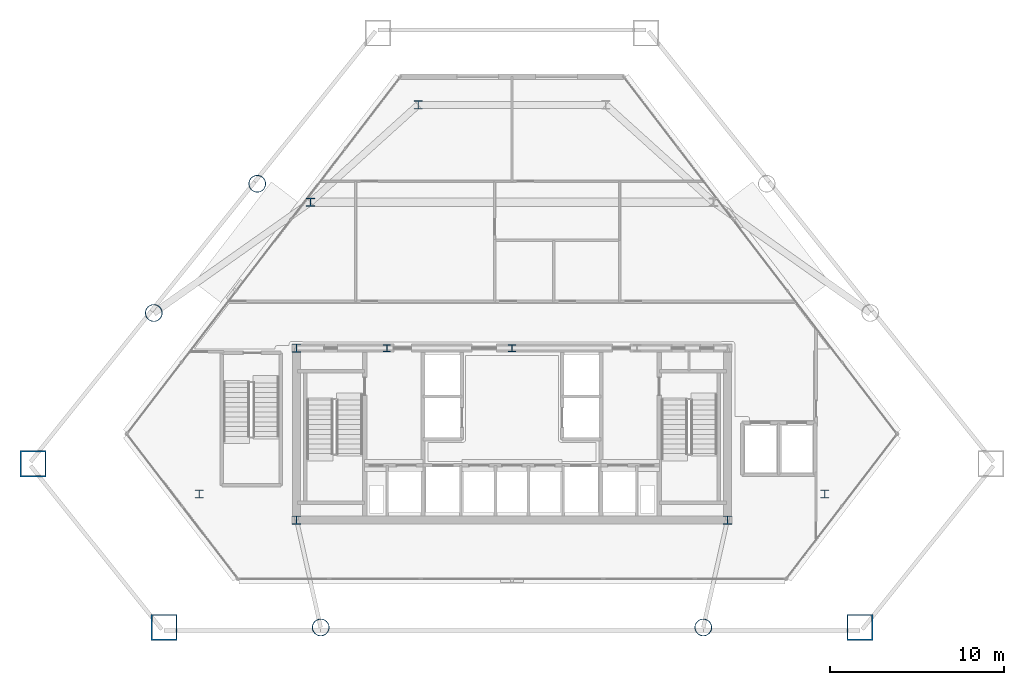
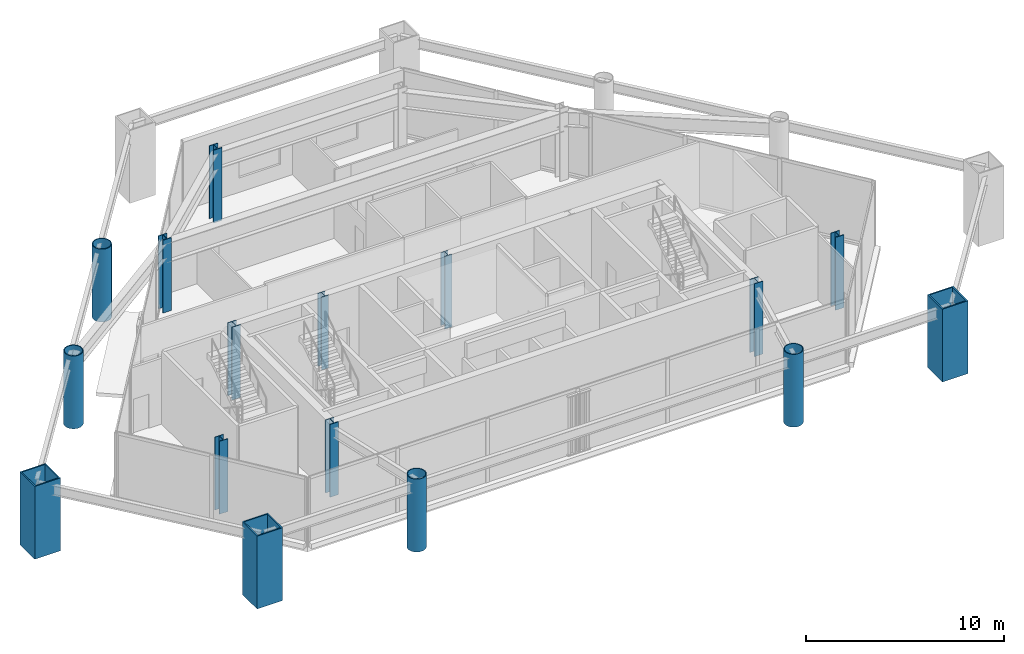
# One storey, part 1 of 11: 16 columns.
"""IFC4 building model written with IfcOpenShell, lengths in metres."""

from ifc_helpers import new_model, si_unit, direction, frame, origin, origin_2d, place, context, subcontext, project, spatial, hollow_rectangle, hollow_circle, i_section, extrude, material, material_profile, profile_set, type_object, element, save


model = new_model("IFC4")

# Units and contexts
model_context = context("Model", 3, precision=1e-05, world=origin(), true_north=direction((0.0, 1.0)))
body_context = subcontext(model_context, "Body", "Model", "MODEL_VIEW")
ifc_project = project(units=[si_unit("LENGTHUNIT", "METRE"), si_unit("AREAUNIT", "SQUARE_METRE"), si_unit("VOLUMEUNIT", "CUBIC_METRE"), si_unit("PLANEANGLEUNIT", "RADIAN"), si_unit("MASSUNIT", "GRAM", prefix="KILO")], contexts=[model_context])

# Site, building, storey
site_placement = place(None, origin())
site = spatial("IfcSite", under=ifc_project, at=site_placement, CompositionType="ELEMENT")
building_placement = place(site_placement, origin())
building = spatial("IfcBuilding", under=site, at=building_placement, Name="Talgorran Terracotta Tower", CompositionType="ELEMENT")
storey_placement = place(building_placement, frame((0.0, 0.0, 5.39990234375)))
storey = spatial("IfcBuildingStorey", under=building, at=storey_placement, Name="L01", CompositionType="ELEMENT", Elevation=5.39990234375)

# Columns
ifc_material_1 = material(Name="Steel S355 (300PLUS)", Category="steel")
ifc_material_profile_1 = material_profile(ifc_material_1, i_section(OverallWidth=0.5, OverallDepth=0.48193359375, WebThickness=0.0400390625, FlangeThickness=0.044921875, at=origin_2d()), Name="500WC440")
ifc_profile_set_1 = profile_set([ifc_material_profile_1], Name="Steel S355 (300PLUS)")
column_type_1 = type_object("IfcColumnType", Name="COL_500WC440", PredefinedType="COLUMN", material=ifc_profile_set_1)
for number, where, z_axis, x_axis, name in (
    (1, (-12.39990234375, -14.10009765625, 0.0), (0.0, 0.0, 1.0), (1.0, 0.0, 0.0), "L01 Core Boundary Column CC1"),
    (2, (12.39990234375, -14.10009765625, 0.0), (0.0, 0.0, 1.0), (1.0, 0.0, 0.0), "L01 Core Boundary Column CC2"),
    (3, (-12.39990234375, -4.199951171875, 0.0), (0.0, 0.0, 1.0), (1.0, 0.0, 0.0), "L01 Core Boundary Column CC4"),
    (4, (-18.0, -12.60009765625, 0.0), (0.0, 0.0, 1.0), (1.0, 0.0, 0.0), "L01 Podium Column PC1"),
    (5, (18.0, -12.60009765625, 0.0), (0.0, 0.0, 1.0), (1.0, 0.0, 0.0), "L01 Podium Column PC2"),
    (6, (-11.60009765625, 4.199951171875, 0.0), (0.0, 0.0, 1.0), (1.0, 0.0, 0.0), "L01 Podium Column PC3"),
    (7, (-5.39990234375, 9.800048828125, 0.0), (0.0, 0.0, 1.0), (1.0, 0.0, 0.0), "L01 Podium Column PC5"),
):
    element("IfcColumn", number, at=place(storey_placement, frame(where, z_axis=z_axis, x_axis=x_axis)), inside=storey, type_object=column_type_1, Name=name, PredefinedType="COLUMN", context=body_context, shape_type="SweptSolid", body=[
        extrude(i_section(OverallWidth=0.5, OverallDepth=0.48193359375, WebThickness=0.0400390625, FlangeThickness=0.044921875, at=origin_2d()), origin(), (0.0, 0.0, 1.0), 4.5),
    ])
ifc_material_2 = material(Name="Steel Grade 350 (350L0)", Category="steel")
ifc_material_profile_2 = material_profile(ifc_material_2, hollow_rectangle(XDim=1.5, YDim=1.5, WallThickness=0.074951171875, at=origin_2d()), Name="CFT1500X1500X75")
ifc_profile_set_2 = profile_set([ifc_material_profile_2], Name="Steel Grade 350 (350L0)")
column_type_2 = type_object("IfcColumnType", Name="COL_CFT_1500", PredefinedType="COLUMN", material=ifc_profile_set_2)
for number, where, z_axis, x_axis, name in (
    (8, (-27.56982421875, -10.85595703125, 0.0), (0.0, 0.0, 1.0), (1.0, 0.0, 0.0), "L01 Corner CFT Mega-Column MC1"),
    (9, (-20.022216796875, -20.280029296875, 0.0), (0.0, 0.0, 1.0), (1.0, 0.0, 0.0), "L01 Corner CFT Mega-Column MC2"),
    (10, (20.022216796875, -20.280029296875, 0.0), (0.0, 0.0, 1.0), (1.0, 0.0, 0.0), "L01 Corner CFT Mega-Column MC3"),
):
    element("IfcColumn", number, at=place(storey_placement, frame(where, z_axis=z_axis, x_axis=x_axis)), inside=storey, type_object=column_type_2, Name=name, PredefinedType="COLUMN", context=body_context, shape_type="SweptSolid", body=[
        extrude(hollow_rectangle(XDim=1.5, YDim=1.5, WallThickness=0.074951171875, at=origin_2d()), origin(), (0.0, 0.0, 1.0), 4.5),
    ])
ifc_material_profile_3 = material_profile(ifc_material_2, hollow_circle(Radius=0.5, WallThickness=0.044921875, at=origin_2d()), Name="CHS1000X45")
ifc_profile_set_3 = profile_set([ifc_material_profile_3], Name="Steel Grade 350 (350L0)")
column_type_3 = type_object("IfcColumnType", Name="COL_CHS_1000", PredefinedType="COLUMN", material=ifc_profile_set_3)
for number, where, z_axis, x_axis, name in (
    (11, (-11.01220703125, -20.280029296875, 0.0), (0.0, 0.0, 1.0), (1.0, 0.0, 0.0), "L01 Facet Perimeter Column FC1"),
    (12, (11.01220703125, -20.280029296875, 0.0), (0.0, 0.0, 1.0), (1.0, 0.0, 0.0), "L01 Facet Perimeter Column FC2"),
    (13, (-14.663818359375, 5.2587890625, 0.0), (0.0, 0.0, 1.0), (1.0, 0.0, 0.0), "L01 Facet Perimeter Column FC5"),
    (14, (-20.620361328125, -2.1787109375, 0.0), (0.0, 0.0, 1.0), (1.0, 0.0, 0.0), "L01 Facet Perimeter Column FC6"),
):
    element("IfcColumn", number, at=place(storey_placement, frame(where, z_axis=z_axis, x_axis=x_axis)), inside=storey, type_object=column_type_3, Name=name, PredefinedType="COLUMN", context=body_context, shape_type="SweptSolid", body=[
        extrude(hollow_circle(Radius=0.5, WallThickness=0.044921875, at=origin_2d()), origin(), (0.0, 0.0, 1.0), 4.5),
    ])
ifc_material_profile_4 = material_profile(ifc_material_1, i_section(OverallWidth=0.405029296875, OverallDepth=0.4140625, WebThickness=0.02197265625, FlangeThickness=0.031982421875, at=origin_2d()), Name="400WC270")
ifc_profile_set_4 = profile_set([ifc_material_profile_4], Name="Steel S355 (300PLUS)")
column_type_4 = type_object("IfcColumnType", Name="COL_PIL_400WC270", PredefinedType="PILASTER", material=ifc_profile_set_4)
for number, where, z_axis, x_axis, name in (
    (15, (-7.199951171875, -4.199951171875, 0.0), (0.0, 0.0, 1.0), (1.0, 0.0, 0.0), "L01 Core Shear Pilaster CP1"),
    (16, (0.0, -4.199951171875, 0.0), (0.0, 0.0, 1.0), (1.0, 0.0, 0.0), "L01 Core Shear Pilaster CP2"),
):
    element("IfcColumn", number, at=place(storey_placement, frame(where, z_axis=z_axis, x_axis=x_axis)), inside=storey, type_object=column_type_4, Name=name, PredefinedType="PILASTER", context=body_context, shape_type="SweptSolid", body=[
        extrude(i_section(OverallWidth=0.405029296875, OverallDepth=0.4140625, WebThickness=0.02197265625, FlangeThickness=0.031982421875, at=origin_2d()), origin(), (0.0, 0.0, 1.0), 4.5),
    ])

save(model, "model.ifc")
